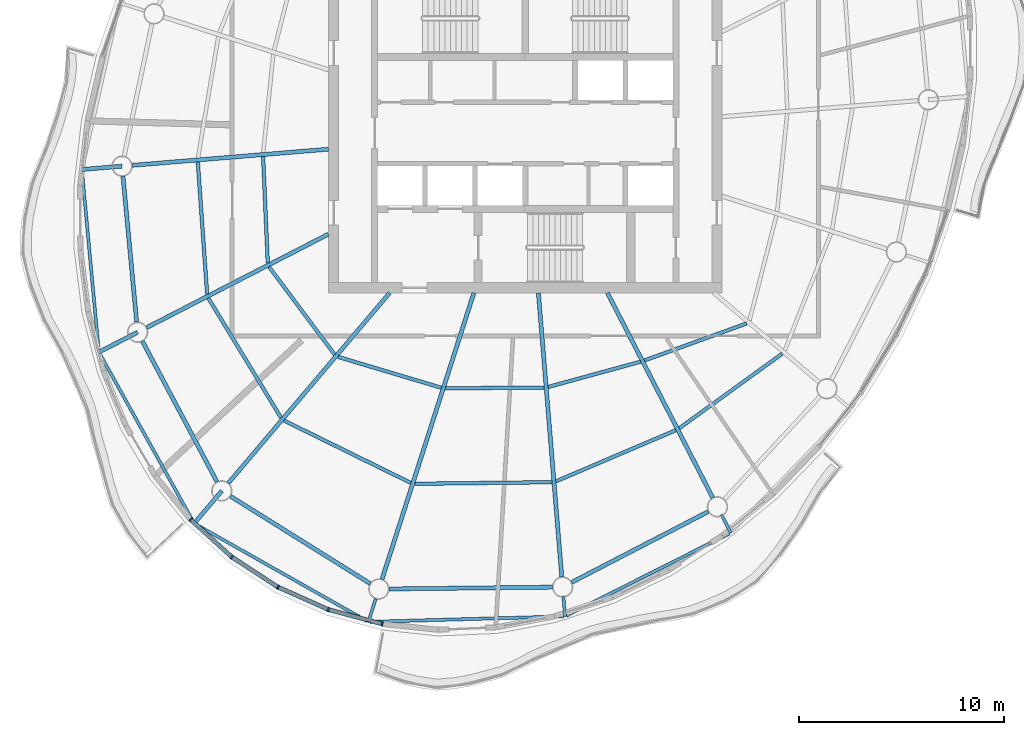
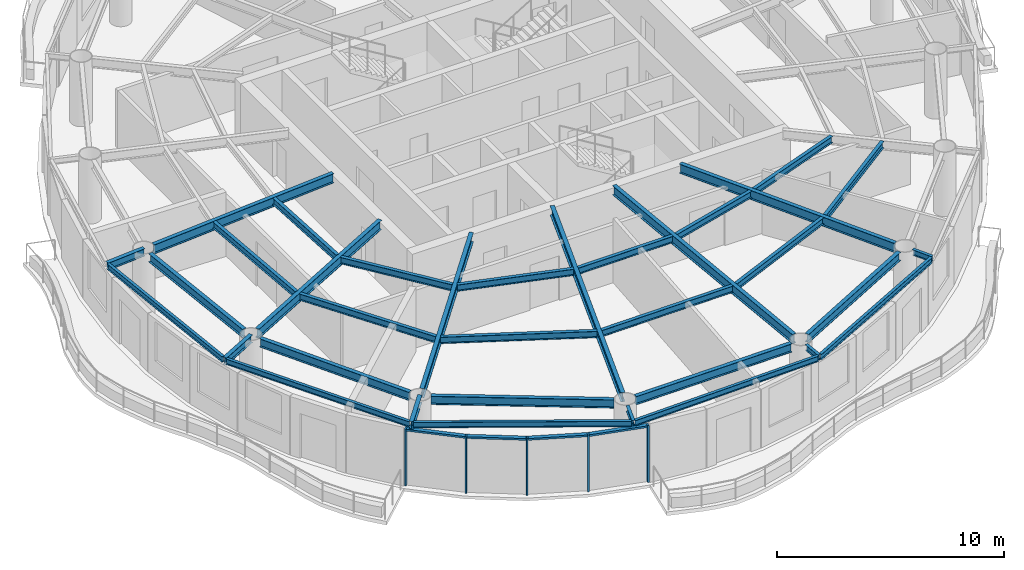
# One storey, part 2 of 13: 34 beams, 9 members, 4 elements without a shape of their own.
"""IFC4 building model written with IfcOpenShell, lengths in metres."""

from ifc_helpers import new_model, si_unit, direction, frame, origin, origin_2d, place, context, subcontext, project, spatial, rectangle, i_section, extrude, material, material_profile, profile_set, type_object, element, aggregate, save


model = new_model("IFC4")

# Units and contexts
model_context = context("Model", 3, precision=1e-05, world=origin(), true_north=direction((0.0, 1.0)))
body_context = subcontext(model_context, "Body", "Model", "MODEL_VIEW")
ifc_project = project(units=[si_unit("LENGTHUNIT", "METRE"), si_unit("AREAUNIT", "SQUARE_METRE"), si_unit("VOLUMEUNIT", "CUBIC_METRE"), si_unit("PLANEANGLEUNIT", "RADIAN"), si_unit("MASSUNIT", "GRAM", prefix="KILO")], contexts=[model_context])

# Site, building, storey
site_placement = place(None, origin())
site = spatial("IfcSite", under=ifc_project, at=site_placement, CompositionType="ELEMENT")
building_placement = place(site_placement, origin())
building = spatial("IfcBuilding", under=site, at=building_placement, Name="Vermilion Reach Broadcast Tower", CompositionType="ELEMENT")
storey_placement = place(building_placement, frame((0.0, 0.0, 279.300048828125)))
storey = spatial("IfcBuildingStorey", under=building, at=storey_placement, Name="L69", CompositionType="ELEMENT", Elevation=279.300048828125)

# Beams
ifc_material_1 = material(Name="Steel S355J2", Category="steel")
ifc_material_profile_1 = material_profile(ifc_material_1, i_section(OverallWidth=0.14990234375, OverallDepth=0.300048828125, WebThickness=0.006591796875, FlangeThickness=0.009033203125, at=origin_2d()), Name="S355J2 HN 300x150x6.5x9")
ifc_profile_set_1 = profile_set([ifc_material_profile_1], Name="Steel S355J2")
beam_type_1 = type_object("IfcBeamType", Name="EB5 HN 300x150x6.5x9", PredefinedType="BEAM", material=ifc_profile_set_1)
beam_1_placement = place(storey_placement, frame((-27.61767578125, -1.88134765625, 3.300048828125), z_axis=(0.092806887756, -0.995684127414, 0.0), x_axis=(0.995684127414, 0.092806887756, 0.0)))
element("IfcBeam", 1, at=beam_1_placement, inside=storey, type_object=beam_type_1, Name="Edge beam EB5-06", PredefinedType="BEAM", context=body_context, shape_type="SweptSolid", body=[
    extrude(i_section(OverallWidth=0.14990234375, OverallDepth=0.300048828125, WebThickness=0.006591796875, FlangeThickness=0.009033203125, at=origin_2d()), origin(), (0.0, 0.0, 1.0), 8.74169921875),
])
beam_2_placement = place(storey_placement, frame((-26.74755859375, -10.77978515625, 3.300048828125), z_axis=(0.486283254384, -0.87380123398, 0.0), x_axis=(0.87380123398, 0.486283254384, 0.0)))
element("IfcBeam", 2, at=beam_2_placement, inside=storey, type_object=beam_type_1, Name="Edge beam EB5-07", PredefinedType="BEAM", context=body_context, shape_type="SweptSolid", body=[
    extrude(i_section(OverallWidth=0.14990234375, OverallDepth=0.300048828125, WebThickness=0.006591796875, FlangeThickness=0.009033203125, at=origin_2d()), origin(), (0.0, 0.0, 1.0), 9.353759765625),
])
beam_3_placement = place(storey_placement, frame((-22.058349609375, -19.0966796875, 3.300048828125), z_axis=(0.87059843742, -0.491994269034, 0.0), x_axis=(0.491994269034, 0.87059843742, 0.0)))
element("IfcBeam", 3, at=beam_3_placement, inside=storey, type_object=beam_type_1, Name="Edge beam EB5-08", PredefinedType="BEAM", context=body_context, shape_type="SweptSolid", body=[
    extrude(i_section(OverallWidth=0.14990234375, OverallDepth=0.300048828125, WebThickness=0.006591796875, FlangeThickness=0.009033203125, at=origin_2d()), origin(), (0.0, 0.0, 1.0), 9.5791015625),
])
beam_4_placement = place(storey_placement, frame((-13.572509765625, -23.84521484375, 3.300048828125), z_axis=(0.999615933964, 0.027712534427, 0.0), x_axis=(-0.027712534427, 0.999615933964, 0.0)))
element("IfcBeam", 4, at=beam_4_placement, inside=storey, type_object=beam_type_1, Name="Edge beam EB5-09", PredefinedType="BEAM", context=body_context, shape_type="SweptSolid", body=[
    extrude(i_section(OverallWidth=0.14990234375, OverallDepth=0.300048828125, WebThickness=0.006591796875, FlangeThickness=0.009033203125, at=origin_2d()), origin(), (0.0, 0.0, 1.0), 9.444091796875),
])
beam_5_placement = place(storey_placement, frame((-3.98486328125, -23.544921875, 3.300048828125), z_axis=(0.892747421544, 0.450557478382, 0.0), x_axis=(-0.450557478382, 0.892747421544, 0.0)))
element("IfcBeam", 5, at=beam_5_placement, inside=storey, type_object=beam_type_1, Name="Edge beam EB5-10", PredefinedType="BEAM", context=body_context, shape_type="SweptSolid", body=[
    extrude(i_section(OverallWidth=0.14990234375, OverallDepth=0.300048828125, WebThickness=0.006591796875, FlangeThickness=0.009033203125, at=origin_2d()), origin(), (0.0, 0.0, 1.0), 8.89892578125),
])
ifc_material_2 = material(Name="Steel S355J2", Category="steel")
ifc_material_profile_2 = material_profile(ifc_material_2, i_section(OverallWidth=0.199951171875, OverallDepth=0.5, WebThickness=0.010009765625, FlangeThickness=0.01611328125, at=origin_2d()), Name="S355J2 HN 500x200x10x16")
ifc_profile_set_2 = profile_set([ifc_material_profile_2], Name="Steel S355J2")
beam_type_2 = type_object("IfcBeamType", Name="G5 HN 500x200x10x16", PredefinedType="BEAM", material=ifc_profile_set_2)
beam_6_placement = place(storey_placement, frame((-15.60009765625, -0.791015625, 3.199951171875), z_axis=(-0.996624410075, -0.082096195058, 0.0), x_axis=(0.082096195058, -0.996624410075, 0.0)))
element("IfcBeam", 6, at=beam_6_placement, inside=storey, type_object=beam_type_2, Name="Girder G5-06", PredefinedType="BEAM", context=body_context, shape_type="SweptSolid", body=[
    extrude(i_section(OverallWidth=0.199951171875, OverallDepth=0.5, WebThickness=0.010009765625, FlangeThickness=0.01611328125, at=origin_2d()), origin(), (0.0, 0.0, 1.0), 9.599609375),
])
beam_7_placement = place(storey_placement, frame((-15.60009765625, -4.935791015625, 3.199951171875), z_axis=(-0.889332502449, -0.457261085254, 0.0), x_axis=(0.457261085254, -0.889332502449, 0.0)))
element("IfcBeam", 7, at=beam_7_placement, inside=storey, type_object=beam_type_2, Name="Girder G5-07", PredefinedType="BEAM", context=body_context, shape_type="SweptSolid", body=[
    extrude(i_section(OverallWidth=0.199951171875, OverallDepth=0.5, WebThickness=0.010009765625, FlangeThickness=0.01611328125, at=origin_2d()), origin(), (0.0, 0.0, 1.0), 9.96337890625),
])
beam_8_placement = place(storey_placement, frame((-12.612548828125, -7.800048828125, 3.199951171875), z_axis=(-0.646658335602, -0.762779782766, 0.0), x_axis=(0.762779782766, -0.646658335602, 0.0)))
element("IfcBeam", 8, at=beam_8_placement, inside=storey, type_object=beam_type_2, Name="Girder G5-08", PredefinedType="BEAM", context=body_context, shape_type="SweptSolid", body=[
    extrude(i_section(OverallWidth=0.199951171875, OverallDepth=0.5, WebThickness=0.010009765625, FlangeThickness=0.01611328125, at=origin_2d()), origin(), (0.0, 0.0, 1.0), 12.16064453125),
])
beam_9_placement = place(storey_placement, frame((-8.502685546875, -7.800048828125, 3.199951171875), z_axis=(-0.305545401295, -0.952177508528, 0.0), x_axis=(0.952177508528, -0.305545401295, 0.0)))
element("IfcBeam", 9, at=beam_9_placement, inside=storey, type_object=beam_type_2, Name="Girder G5-09", PredefinedType="BEAM", context=body_context, shape_type="SweptSolid", body=[
    extrude(i_section(OverallWidth=0.199951171875, OverallDepth=0.5, WebThickness=0.010009765625, FlangeThickness=0.01611328125, at=origin_2d()), origin(), (0.0, 0.0, 1.0), 14.672607421875),
])
beam_10_placement = place(storey_placement, frame((-5.357421875, -7.800048828125, 3.199951171875), z_axis=(0.082123744247, -0.996622140347, 0.0), x_axis=(0.996622140347, 0.082123744247, 0.0)))
element("IfcBeam", 10, at=beam_10_placement, inside=storey, type_object=beam_type_2, Name="Girder G5-10", PredefinedType="BEAM", context=body_context, shape_type="SweptSolid", body=[
    extrude(i_section(OverallWidth=0.199951171875, OverallDepth=0.5, WebThickness=0.010009765625, FlangeThickness=0.01611328125, at=origin_2d()), origin(), (0.0, 0.0, 1.0), 13.89794921875),
])
beam_11_placement = place(storey_placement, frame((-1.989501953125, -7.800048828125, 3.199951171875), z_axis=(0.457258168112, -0.889334002327, 0.0), x_axis=(0.889334002327, 0.457258168112, 0.0)))
element("IfcBeam", 11, at=beam_11_placement, inside=storey, type_object=beam_type_2, Name="Girder G5-11", PredefinedType="BEAM", context=body_context, shape_type="SweptSolid", body=[
    extrude(i_section(OverallWidth=0.199951171875, OverallDepth=0.5, WebThickness=0.010009765625, FlangeThickness=0.01611328125, at=origin_2d()), origin(), (0.0, 0.0, 1.0), 11.236328125),
])
ifc_material_3 = material(Name="Steel S355J2", Category="steel")
ifc_material_profile_3 = material_profile(ifc_material_3, i_section(OverallWidth=0.199951171875, OverallDepth=0.39990234375, WebThickness=0.008056640625, FlangeThickness=0.012939453125, at=origin_2d()), Name="S355J2 HN 400x200x8x13")
ifc_profile_set_3 = profile_set([ifc_material_profile_3], Name="Steel S355J2")
beam_type_3 = type_object("IfcBeamType", Name="GC5 HN 400x200x8x13", PredefinedType="BEAM", material=ifc_profile_set_3)
beam_12_placement = place(storey_placement, frame((-25.665771484375, -1.620361328125, 3.25), z_axis=(-0.996631637871, -0.082008404411, 0.0), x_axis=(0.082008404411, -0.996631637871, 0.0)))
element("IfcBeam", 12, at=beam_12_placement, inside=storey, type_object=beam_type_3, Name="Cantilever girder GC5-06", PredefinedType="BEAM", context=body_context, shape_type="SweptSolid", body=[
    extrude(i_section(OverallWidth=0.199951171875, OverallDepth=0.39990234375, WebThickness=0.008056640625, FlangeThickness=0.012939453125, at=origin_2d()), origin(), (0.0, 0.0, 1.0), 1.9677734375),
])
beam_13_placement = place(storey_placement, frame((-24.905517578125, -9.72021484375, 3.25), z_axis=(-0.889341170054, -0.457244227134, 0.0), x_axis=(0.457244227134, -0.889341170054, 0.0)))
element("IfcBeam", 13, at=beam_13_placement, inside=storey, type_object=beam_type_3, Name="Cantilever girder GC5-07", PredefinedType="BEAM", context=body_context, shape_type="SweptSolid", body=[
    extrude(i_section(OverallWidth=0.199951171875, OverallDepth=0.39990234375, WebThickness=0.008056640625, FlangeThickness=0.012939453125, at=origin_2d()), origin(), (0.0, 0.0, 1.0), 2.126220703125),
])
beam_14_placement = place(storey_placement, frame((-20.799560546875, -17.457275390625, 3.25), z_axis=(-0.646661540253, -0.762777065962, 0.0), x_axis=(0.762777065962, -0.646661540253, 0.0)))
element("IfcBeam", 14, at=beam_14_placement, inside=storey, type_object=beam_type_3, Name="Cantilever girder GC5-08", PredefinedType="BEAM", context=body_context, shape_type="SweptSolid", body=[
    extrude(i_section(OverallWidth=0.199951171875, OverallDepth=0.39990234375, WebThickness=0.008056640625, FlangeThickness=0.012939453125, at=origin_2d()), origin(), (0.0, 0.0, 1.0), 2.083740234375),
])
ifc_material_4 = material(Name="Steel S355J2", Category="steel")
ifc_material_profile_4 = material_profile(ifc_material_4, i_section(OverallWidth=0.14990234375, OverallDepth=0.300048828125, WebThickness=0.006591796875, FlangeThickness=0.009033203125, at=origin_2d()), Name="S355J2 HN 300x150x6.5x9")
ifc_profile_set_4 = profile_set([ifc_material_profile_4], Name="Steel S355J2")
beam_type_4 = type_object("IfcBeamType", Name="GS5 HN 300x150x6.5x9", PredefinedType="BEAM", material=ifc_profile_set_4)
beam_15_placement = place(storey_placement, frame((-13.291259765625, -22.72314453125, 3.300048828125), z_axis=(-0.305413404143, -0.952219855165, 0.0), x_axis=(0.952219855165, -0.305413404143, 0.0)))
element("IfcBeam", 15, at=beam_15_placement, inside=storey, type_object=beam_type_4, Name="Cantilever stub GS5-09", PredefinedType="BEAM", context=body_context, shape_type="SweptSolid", body=[
    extrude(i_section(OverallWidth=0.14990234375, OverallDepth=0.300048828125, WebThickness=0.006591796875, FlangeThickness=0.009033203125, at=origin_2d()), origin(), (0.0, 0.0, 1.0), 1.1806640625),
])
beam_16_placement = place(storey_placement, frame((-4.13916015625, -22.584716796875, 3.300048828125), z_axis=(0.082035152054, -0.996629436565, 0.0), x_axis=(0.996629436565, 0.082035152054, 0.0)))
element("IfcBeam", 16, at=beam_16_placement, inside=storey, type_object=beam_type_4, Name="Cantilever stub GS5-10", PredefinedType="BEAM", context=body_context, shape_type="SweptSolid", body=[
    extrude(i_section(OverallWidth=0.14990234375, OverallDepth=0.300048828125, WebThickness=0.006591796875, FlangeThickness=0.009033203125, at=origin_2d()), origin(), (0.0, 0.0, 1.0), 1.0),
])
beam_17_placement = place(storey_placement, frame((3.569580078125, -18.6123046875, 3.300048828125), z_axis=(0.457342495391, -0.889290639729, 0.0), x_axis=(0.889290639729, 0.457342495391, 0.0)))
element("IfcBeam", 17, at=beam_17_placement, inside=storey, type_object=beam_type_4, Name="Cantilever stub GS5-11", PredefinedType="BEAM", context=body_context, shape_type="SweptSolid", body=[
    extrude(i_section(OverallWidth=0.14990234375, OverallDepth=0.300048828125, WebThickness=0.006591796875, FlangeThickness=0.009033203125, at=origin_2d()), origin(), (0.0, 0.0, 1.0), 0.999755859375),
])
ifc_material_5 = material(Name="Steel S355J2", Category="steel")
ifc_material_profile_5 = material_profile(ifc_material_5, i_section(OverallWidth=0.199951171875, OverallDepth=0.449951171875, WebThickness=0.009033203125, FlangeThickness=0.013916015625, at=origin_2d()), Name="S355J2 HN 450x200x9x14")
ifc_profile_set_5 = profile_set([ifc_material_profile_5], Name="Steel S355J2")
beam_type_5 = type_object("IfcBeamType", Name="RB5 HN 450x200x9x14", PredefinedType="BEAM", material=ifc_profile_set_5)
beam_18_placement = place(storey_placement, frame((-25.618896484375, -2.1181640625, 3.224853515625), z_axis=(0.093441399272, -0.995624781181, 0.0), x_axis=(0.995624781181, 0.093441399272, 0.0)))
element("IfcBeam", 18, at=beam_18_placement, inside=storey, type_object=beam_type_5, Name="Ring beam RB5-06", PredefinedType="BEAM", context=body_context, shape_type="SweptSolid", body=[
    extrude(i_section(OverallWidth=0.199951171875, OverallDepth=0.449951171875, WebThickness=0.009033203125, FlangeThickness=0.013916015625, at=origin_2d()), origin(), (0.0, 0.0, 1.0), 7.135498046875),
])
beam_19_placement = place(storey_placement, frame((-24.671142578125, -10.161865234375, 3.224853515625), z_axis=(0.468767917375, -0.883321368269, 0.0), x_axis=(0.883321368269, 0.468767917375, 0.0)))
element("IfcBeam", 19, at=beam_19_placement, inside=storey, type_object=beam_type_5, Name="Ring beam RB5-07", PredefinedType="BEAM", context=body_context, shape_type="SweptSolid", body=[
    extrude(i_section(OverallWidth=0.199951171875, OverallDepth=0.449951171875, WebThickness=0.009033203125, FlangeThickness=0.013916015625, at=origin_2d()), origin(), (0.0, 0.0, 1.0), 7.759033203125),
])
beam_20_placement = place(storey_placement, frame((-20.375732421875, -17.722412109375, 3.224853515625), z_axis=(0.847914653245, -0.530132757724, 0.0), x_axis=(0.530132757724, 0.847914653245, 0.0)))
element("IfcBeam", 20, at=beam_20_placement, inside=storey, type_object=beam_type_5, Name="Ring beam RB5-08", PredefinedType="BEAM", context=body_context, shape_type="SweptSolid", body=[
    extrude(i_section(OverallWidth=0.199951171875, OverallDepth=0.449951171875, WebThickness=0.009033203125, FlangeThickness=0.013916015625, at=origin_2d()), origin(), (0.0, 0.0, 1.0), 8.035400390625),
])
beam_21_placement = place(storey_placement, frame((-12.638427734375, -22.24169921875, 3.224853515625), z_axis=(0.999940445231, 0.010913569149, 0.0), x_axis=(-0.010913569149, 0.999940445231, 0.0)))
element("IfcBeam", 21, at=beam_21_placement, inside=storey, type_object=beam_type_5, Name="Ring beam RB5-09", PredefinedType="BEAM", context=body_context, shape_type="SweptSolid", body=[
    extrude(i_section(OverallWidth=0.199951171875, OverallDepth=0.449951171875, WebThickness=0.009033203125, FlangeThickness=0.013916015625, at=origin_2d()), origin(), (0.0, 0.0, 1.0), 7.9638671875),
])
beam_22_placement = place(storey_placement, frame((-3.731201171875, -21.91943359375, 3.224853515625), z_axis=(0.887960248279, 0.459920207729, 0.0), x_axis=(-0.459920207729, 0.887960248279, 0.0)))
element("IfcBeam", 22, at=beam_22_placement, inside=storey, type_object=beam_type_5, Name="Ring beam RB5-10", PredefinedType="BEAM", context=body_context, shape_type="SweptSolid", body=[
    extrude(i_section(OverallWidth=0.199951171875, OverallDepth=0.449951171875, WebThickness=0.009033203125, FlangeThickness=0.013916015625, at=origin_2d()), origin(), (0.0, 0.0, 1.0), 7.5048828125),
])
ifc_material_6 = material(Name="Steel S355J2", Category="steel")
ifc_material_profile_6 = material_profile(ifc_material_6, i_section(OverallWidth=0.175048828125, OverallDepth=0.35009765625, WebThickness=0.007080078125, FlangeThickness=0.010986328125, at=origin_2d()), Name="S355J2 HN 350x175x7x11")
ifc_profile_set_6 = profile_set([ifc_material_profile_6], Name="Steel S355J2")
beam_type_6 = type_object("IfcBeamType", Name="SB5 HN 350x175x7x11", PredefinedType="BEAM", material=ifc_profile_set_6)
beam_23_placement = place(storey_placement, frame((-18.78466796875, -1.153564453125, 3.27490234375), z_axis=(0.043557530017, -0.999050920413, 0.0), x_axis=(0.999050920413, 0.043557530017, 0.0)))
element("IfcBeam", 23, at=beam_23_placement, inside=storey, type_object=beam_type_6, Name="Secondary beam SB5-06-1", PredefinedType="BEAM", context=body_context, shape_type="SweptSolid", body=[
    extrude(i_section(OverallWidth=0.175048828125, OverallDepth=0.35009765625, WebThickness=0.007080078125, FlangeThickness=0.010986328125, at=origin_2d()), origin(), (0.0, 0.0, 1.0), 5.19580078125),
])
beam_24_placement = place(storey_placement, frame((-21.97119140625, -1.416259765625, 3.27490234375), z_axis=(0.070586780458, -0.997505642302, 0.0), x_axis=(0.997505642302, 0.070586780458, 0.0)))
element("IfcBeam", 24, at=beam_24_placement, inside=storey, type_object=beam_type_6, Name="Secondary beam SB5-06-2", PredefinedType="BEAM", context=body_context, shape_type="SweptSolid", body=[
    extrude(i_section(OverallWidth=0.175048828125, OverallDepth=0.35009765625, WebThickness=0.007080078125, FlangeThickness=0.010986328125, at=origin_2d()), origin(), (0.0, 0.0, 1.0), 6.46435546875),
])
beam_25_placement = place(storey_placement, frame((-18.492919921875, -6.53564453125, 3.27490234375), z_axis=(0.599055582645, -0.800707442767, 0.0), x_axis=(0.800707442767, 0.599055582645, 0.0)))
element("IfcBeam", 25, at=beam_25_placement, inside=storey, type_object=beam_type_6, Name="Secondary beam SB5-07-1", PredefinedType="BEAM", context=body_context, shape_type="SweptSolid", body=[
    extrude(i_section(OverallWidth=0.175048828125, OverallDepth=0.35009765625, WebThickness=0.007080078125, FlangeThickness=0.010986328125, at=origin_2d()), origin(), (0.0, 0.0, 1.0), 5.337890625),
])
beam_26_placement = place(storey_placement, frame((-21.455078125, -8.058837890625, 3.27490234375), z_axis=(0.519272962556, -0.854608442714, 0.0), x_axis=(0.854608442714, 0.519272962556, 0.0)))
element("IfcBeam", 26, at=beam_26_placement, inside=storey, type_object=beam_type_6, Name="Secondary beam SB5-07-2", PredefinedType="BEAM", context=body_context, shape_type="SweptSolid", body=[
    extrude(i_section(OverallWidth=0.175048828125, OverallDepth=0.35009765625, WebThickness=0.007080078125, FlangeThickness=0.010986328125, at=origin_2d()), origin(), (0.0, 0.0, 1.0), 6.82763671875),
])
beam_27_placement = place(storey_placement, frame((-15.129150390625, -10.92333984375, 3.27490234375), z_axis=(0.958124906971, -0.286350593925, 0.0), x_axis=(0.286350593925, 0.958124906971, 0.0)))
element("IfcBeam", 27, at=beam_27_placement, inside=storey, type_object=beam_type_6, Name="Secondary beam SB5-08-1", PredefinedType="BEAM", context=body_context, shape_type="SweptSolid", body=[
    extrude(i_section(OverallWidth=0.175048828125, OverallDepth=0.35009765625, WebThickness=0.007080078125, FlangeThickness=0.010986328125, at=origin_2d()), origin(), (0.0, 0.0, 1.0), 5.25634765625),
])
beam_28_placement = place(storey_placement, frame((-17.762451171875, -14.029541015625, 3.27490234375), z_axis=(0.897335928087, -0.441348198325, 0.0), x_axis=(0.441348198325, 0.897335928087, 0.0)))
element("IfcBeam", 28, at=beam_28_placement, inside=storey, type_object=beam_type_6, Name="Secondary beam SB5-08-2", PredefinedType="BEAM", context=body_context, shape_type="SweptSolid", body=[
    extrude(i_section(OverallWidth=0.175048828125, OverallDepth=0.35009765625, WebThickness=0.007080078125, FlangeThickness=0.010986328125, at=origin_2d()), origin(), (0.0, 0.0, 1.0), 6.887451171875),
])
beam_29_placement = place(storey_placement, frame((-9.891845703125, -12.4560546875, 3.27490234375), z_axis=(0.999968312294, 0.007960804474, 0.0), x_axis=(-0.007960804474, 0.999968312294, 0.0)))
element("IfcBeam", 29, at=beam_29_placement, inside=storey, type_object=beam_type_6, Name="Secondary beam SB5-09-1", PredefinedType="BEAM", context=body_context, shape_type="SweptSolid", body=[
    extrude(i_section(OverallWidth=0.175048828125, OverallDepth=0.35009765625, WebThickness=0.007080078125, FlangeThickness=0.010986328125, at=origin_2d()), origin(), (0.0, 0.0, 1.0), 4.81494140625),
])
beam_30_placement = place(storey_placement, frame((-11.385986328125, -17.11279296875, 3.27490234375), z_axis=(0.999932654133, 0.011605481368, 0.0), x_axis=(-0.011605481368, 0.999932654133, 0.0)))
element("IfcBeam", 30, at=beam_30_placement, inside=storey, type_object=beam_type_6, Name="Secondary beam SB5-09-2", PredefinedType="BEAM", context=body_context, shape_type="SweptSolid", body=[
    extrude(i_section(OverallWidth=0.175048828125, OverallDepth=0.35009765625, WebThickness=0.007080078125, FlangeThickness=0.010986328125, at=origin_2d()), origin(), (0.0, 0.0, 1.0), 6.689697265625),
])
beam_31_placement = place(storey_placement, frame((-4.87890625, -12.39013671875, 3.27490234375), z_axis=(0.964547496851, 0.263909314573, 0.0), x_axis=(-0.263909314573, 0.964547496851, 0.0)))
element("IfcBeam", 31, at=beam_31_placement, inside=storey, type_object=beam_type_6, Name="Secondary beam SB5-10-1", PredefinedType="BEAM", context=body_context, shape_type="SweptSolid", body=[
    extrude(i_section(OverallWidth=0.175048828125, OverallDepth=0.35009765625, WebThickness=0.007080078125, FlangeThickness=0.010986328125, at=origin_2d()), origin(), (0.0, 0.0, 1.0), 4.6689453125),
])
beam_32_placement = place(storey_placement, frame((-4.49951171875, -16.99267578125, 3.27490234375), z_axis=(0.919880986172, 0.392197617637, 0.0), x_axis=(-0.392197617637, 0.919880986172, 0.0)))
element("IfcBeam", 32, at=beam_32_placement, inside=storey, type_object=beam_type_6, Name="Secondary beam SB5-10-2", PredefinedType="BEAM", context=body_context, shape_type="SweptSolid", body=[
    extrude(i_section(OverallWidth=0.175048828125, OverallDepth=0.35009765625, WebThickness=0.007080078125, FlangeThickness=0.010986328125, at=origin_2d()), origin(), (0.0, 0.0, 1.0), 6.351806640625),
])
beam_33_placement = place(storey_placement, frame((-0.18212890625, -11.0966796875, 3.27490234375), z_axis=(0.940220108875, 0.340567389613, 0.0), x_axis=(-0.340567389613, 0.940220108875, 0.0)))
element("IfcBeam", 33, at=beam_33_placement, inside=storey, type_object=beam_type_6, Name="Secondary beam SB5-11-1", PredefinedType="BEAM", context=body_context, shape_type="SweptSolid", body=[
    extrude(i_section(OverallWidth=0.175048828125, OverallDepth=0.35009765625, WebThickness=0.007080078125, FlangeThickness=0.010986328125, at=origin_2d()), origin(), (0.0, 0.0, 1.0), 5.303466796875),
])
beam_34_placement = place(storey_placement, frame((1.517578125, -14.402587890625, 3.27490234375), z_axis=(0.809771251518, 0.586745703192, 0.0), x_axis=(-0.586745703192, 0.809771251518, 0.0)))
element("IfcBeam", 34, at=beam_34_placement, inside=storey, type_object=beam_type_6, Name="Secondary beam SB5-11-2", PredefinedType="BEAM", context=body_context, shape_type="SweptSolid", body=[
    extrude(i_section(OverallWidth=0.175048828125, OverallDepth=0.35009765625, WebThickness=0.007080078125, FlangeThickness=0.010986328125, at=origin_2d()), origin(), (0.0, 0.0, 1.0), 6.20361328125),
])

# Curtain wall, member
ifc_material_7 = material(Name="Low-e laminated clear glass in aluminium frame", Category="aluminium")
curtain_wall_type = type_object("IfcCurtainWallType", Name="Slot curtain wall", PredefinedType="NOTDEFINED", material=ifc_material_7)
placement = place(storey_placement, origin())
curtain_wall_1 = element("IfcCurtainWall", 35, at=placement, inside=storey, type_object=curtain_wall_type, Name="Slot curtain wall L69 22", PredefinedType="NOTDEFINED")
ifc_material_8 = material(Name="Anodised aluminium", Category="aluminium")
ifc_material_profile_7 = material_profile(ifc_material_8, rectangle(XDim=0.199951171875, YDim=0.080078125, at=origin_2d()), Name="Slot mullion 80 x 200")
ifc_profile_set_7 = profile_set([ifc_material_profile_7], Name="Anodised aluminium")
member_type_1 = type_object("IfcMemberType", Name="Slot mullion 80 x 200", PredefinedType="MULLION", material=ifc_profile_set_7)
member_1_placement = place(storey_placement, frame((-22.3212890625, -18.8583984375, 0.0), z_axis=(0.0, 0.0, 1.0), x_axis=(0.726976193155, 0.686662664331, 0.0)))
member_1 = element("IfcMember", 36, at=member_1_placement, type_object=member_type_1, Name="Slot mullion L69 22", PredefinedType="MULLION", context=body_context, shape_type="SweptSolid", body=[
    extrude(rectangle(XDim=0.199951171875, YDim=0.080078125, at=origin_2d()), origin(), (0.0, 0.0, 1.0), 3.050048828125),
])

curtain_wall_2 = element("IfcCurtainWall", 37, at=placement, inside=storey, type_object=curtain_wall_type, Name="Slot curtain wall L69 23", PredefinedType="NOTDEFINED")
member_2_placement = place(storey_placement, frame((-20.31103515625, -20.681640625, 0.0), z_axis=(0.0, 0.0, 1.0), x_axis=(0.611097606406, 0.791555251037, 0.0)))
member_2 = element("IfcMember", 38, at=member_2_placement, type_object=member_type_1, Name="Slot mullion L69 23", PredefinedType="MULLION", context=body_context, shape_type="SweptSolid", body=[
    extrude(rectangle(XDim=0.199951171875, YDim=0.080078125, at=origin_2d()), origin(), (0.0, 0.0, 1.0), 3.050048828125),
])

curtain_wall_3 = element("IfcCurtainWall", 39, at=placement, inside=storey, type_object=curtain_wall_type, Name="Slot curtain wall L69 24", PredefinedType="NOTDEFINED")
member_3_placement = place(storey_placement, frame((-18.057861328125, -22.15234375, 0.0), z_axis=(0.0, 0.0, 1.0), x_axis=(0.478078792224, 0.878316952145, 0.0)))
member_3 = element("IfcMember", 40, at=member_3_placement, type_object=member_type_1, Name="Slot mullion L69 24", PredefinedType="MULLION", context=body_context, shape_type="SweptSolid", body=[
    extrude(rectangle(XDim=0.199951171875, YDim=0.080078125, at=origin_2d()), origin(), (0.0, 0.0, 1.0), 3.050048828125),
])

# Curtain wall, members
curtain_wall_4 = element("IfcCurtainWall", 41, at=placement, inside=storey, type_object=curtain_wall_type, Name="Slot curtain wall L69 25", PredefinedType="NOTDEFINED")
member_4_placement = place(storey_placement, frame((-15.599365234375, -23.24609375, 0.0), z_axis=(0.0, 0.0, 1.0), x_axis=(0.333001962043, 0.94292613352, 0.0)))
member_4 = element("IfcMember", 42, at=member_4_placement, type_object=member_type_1, Name="Slot mullion L69 25", PredefinedType="MULLION", context=body_context, shape_type="SweptSolid", body=[
    extrude(rectangle(XDim=0.199951171875, YDim=0.080078125, at=origin_2d()), origin(), (0.0, 0.0, 1.0), 3.050048828125),
])
member_5_placement = place(storey_placement, frame((-12.976806640625, -23.944580078125, 0.0), z_axis=(0.0, 0.0, 1.0), x_axis=(0.182003965181, 0.983297796529, 0.0)))
member_5 = element("IfcMember", 43, at=member_5_placement, type_object=member_type_1, Name="Slot mullion L69 26", PredefinedType="MULLION", context=body_context, shape_type="SweptSolid", body=[
    extrude(rectangle(XDim=0.199951171875, YDim=0.080078125, at=origin_2d()), origin(), (0.0, 0.0, 1.0), 3.050048828125),
])

# Member
ifc_material_9 = material(Name="Anodised aluminium", Category="aluminium")
ifc_material_profile_8 = material_profile(ifc_material_9, rectangle(XDim=0.199951171875, YDim=0.10009765625, at=origin_2d()), Name="Slot transom 200 x 100")
ifc_profile_set_8 = profile_set([ifc_material_profile_8], Name="Anodised aluminium")
member_type_2 = type_object("IfcMemberType", Name="Slot transom 200 x 100", PredefinedType="USERDEFINED", material=ifc_profile_set_8)
member_6_placement = place(storey_placement, frame((-22.291748046875, -18.88525390625, 3.0), z_axis=(0.740744777192, -0.671786554691, 0.0), x_axis=(0.671786554691, 0.740744777192, 0.0)))
member_6 = element("IfcMember", 44, at=member_6_placement, type_object=member_type_2, Name="Slot transom L69 22.1", ObjectType="TRANSOM", PredefinedType="USERDEFINED", context=body_context, shape_type="SweptSolid", body=[
    extrude(rectangle(XDim=0.199951171875, YDim=0.10009765625, at=origin_2d()), origin(), (0.0, 0.0, 1.0), 2.634033203125),
])

aggregate(curtain_wall_1, [member_1, member_6])

member_7_placement = place(storey_placement, frame((-20.27734375, -20.703369140625, 3.0), z_axis=(0.837377961285, -0.546624322505, 0.0), x_axis=(0.546624322505, 0.837377961285, 0.0)))
member_7 = element("IfcMember", 45, at=member_7_placement, type_object=member_type_2, Name="Slot transom L69 23.1", ObjectType="TRANSOM", PredefinedType="USERDEFINED", context=body_context, shape_type="SweptSolid", body=[
    extrude(rectangle(XDim=0.199951171875, YDim=0.10009765625, at=origin_2d()), origin(), (0.0, 0.0, 1.0), 2.610595703125),
])

aggregate(curtain_wall_2, [member_2, member_7])

member_8_placement = place(storey_placement, frame((-18.021240234375, -22.16845703125, 3.0), z_axis=(0.913645651298, -0.406511529805, 0.0), x_axis=(0.406511529805, 0.913645651298, 0.0)))
member_8 = element("IfcMember", 46, at=member_8_placement, type_object=member_type_2, Name="Slot transom L69 24.1", ObjectType="TRANSOM", PredefinedType="USERDEFINED", context=body_context, shape_type="SweptSolid", body=[
    extrude(rectangle(XDim=0.199951171875, YDim=0.10009765625, at=origin_2d()), origin(), (0.0, 0.0, 1.0), 2.610595703125),
])

aggregate(curtain_wall_3, [member_3, member_8])

member_9_placement = place(storey_placement, frame((-15.560791015625, -23.25634765625, 3.0), z_axis=(0.96630413455, -0.257403029414, 0.0), x_axis=(0.257403029414, 0.96630413455, 0.0)))
member_9 = element("IfcMember", 47, at=member_9_placement, type_object=member_type_2, Name="Slot transom L69 25.1", ObjectType="TRANSOM", PredefinedType="USERDEFINED", context=body_context, shape_type="SweptSolid", body=[
    extrude(rectangle(XDim=0.199951171875, YDim=0.10009765625, at=origin_2d()), origin(), (0.0, 0.0, 1.0), 2.634033203125),
])

aggregate(curtain_wall_4, [member_4, member_5, member_9])

save(model, "model.ifc")
